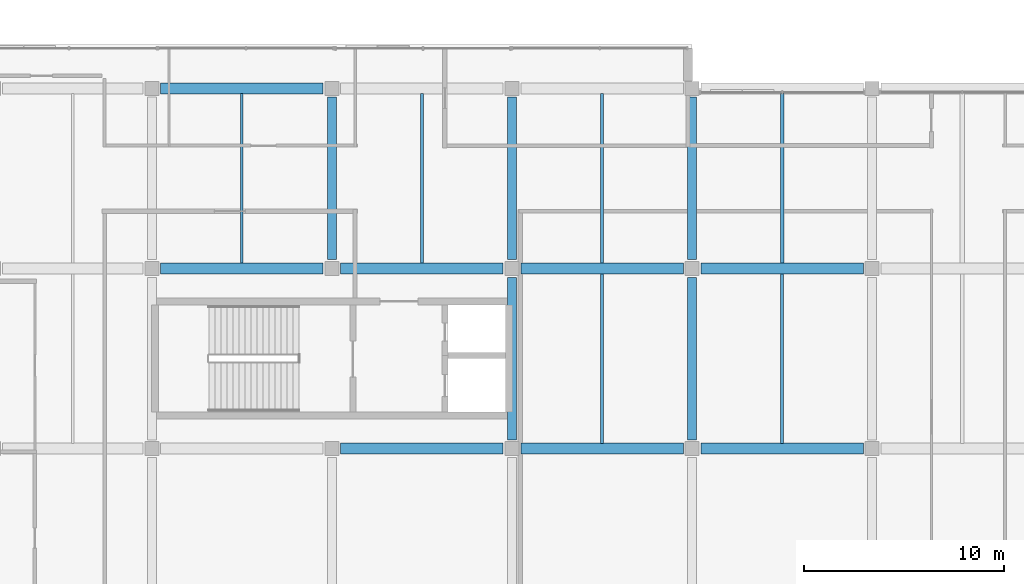
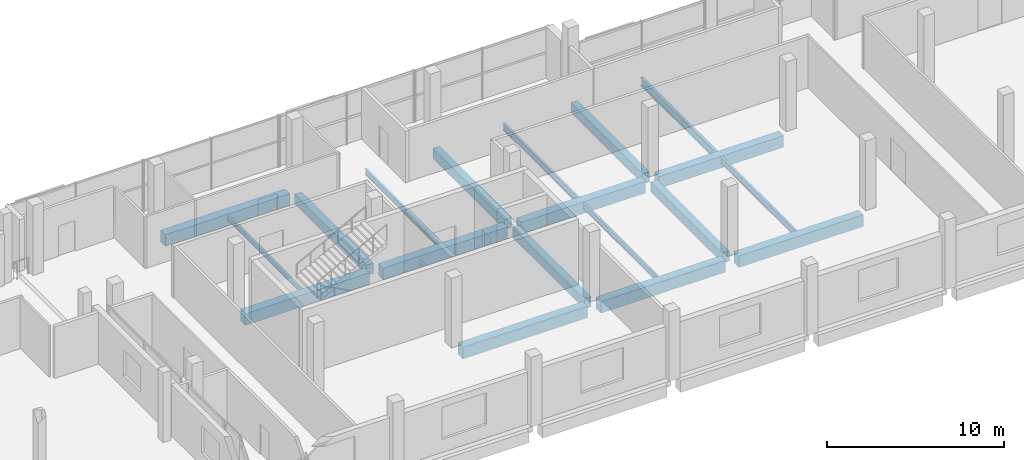
# One storey, part 45 of 111: 19 beams.
"""IFC4 building model written with IfcOpenShell, lengths in metres."""

from ifc_helpers import new_model, si_unit, direction, frame, origin, origin_2d, place, context, subcontext, project, spatial, rectangle, i_section, extrude, material, material_profile, profile_set, type_object, element, save


model = new_model("IFC4")

# Units and contexts
model_context = context("Model", 3, precision=1e-05, world=origin(), true_north=direction((0.0, 1.0)))
body_context = subcontext(model_context, "Body", "Model", "MODEL_VIEW")
ifc_project = project(units=[si_unit("LENGTHUNIT", "METRE"), si_unit("AREAUNIT", "SQUARE_METRE"), si_unit("VOLUMEUNIT", "CUBIC_METRE"), si_unit("PLANEANGLEUNIT", "RADIAN"), si_unit("MASSUNIT", "GRAM", prefix="KILO"), si_unit("THERMODYNAMICTEMPERATUREUNIT", "KELVIN"), si_unit("POWERUNIT", "WATT")], contexts=[model_context])

# Site, building, storey
site_placement = place(None, origin())
site = spatial("IfcSite", under=ifc_project, at=site_placement, CompositionType="ELEMENT")
building_placement = place(site_placement, origin())
building = spatial("IfcBuilding", under=site, at=building_placement, Name="Sindhuravela Promenade Stadium", CompositionType="ELEMENT")
storey_placement = place(building_placement, frame((0.0, 0.0, 9.60009765625)))
storey = spatial("IfcBuildingStorey", under=building, at=storey_placement, Name="L02", CompositionType="ELEMENT", Elevation=9.60009765625)

# Beams
ifc_material_1 = material(Name="Concrete M40", Category="concrete")
ifc_material_profile_1 = material_profile(ifc_material_1, rectangle(XDim=0.449951171875, YDim=0.699951171875, at=origin_2d()), Name="RC 450x700")
ifc_profile_set_1 = profile_set([ifc_material_profile_1], Name="Concrete M40")
beam_type_1 = type_object("IfcBeamType", Name="RC-BM-450x700", PredefinedType="BEAM", material=ifc_profile_set_1)
for number, where, z_axis, x_axis, name in (
    (1, (72.0, 144.43994140625, -0.630126953125), (0.0, 1.0, 0.0), (-1.0, 0.0, 0.0), "Primary beam GB07 NORTH L02"),
    (2, (81.0, 135.43994140625, -0.630126953125), (0.0, 1.0, 0.0), (-1.0, 0.0, 0.0), "Primary beam GB07 NORTH L02"),
    (3, (81.0, 144.43994140625, -0.630126953125), (0.0, 1.0, 0.0), (-1.0, 0.0, 0.0), "Primary beam GB07 NORTH L02"),
    (4, (90.0, 135.43994140625, -0.630126953125), (0.0, 1.0, 0.0), (-1.0, 0.0, 0.0), "Primary beam GB07 NORTH L02"),
    (5, (90.0, 144.43994140625, -0.630126953125), (0.0, 1.0, 0.0), (-1.0, 0.0, 0.0), "Primary beam GB07 NORTH L02"),
):
    element("IfcBeam", number, at=place(storey_placement, frame(where, z_axis=z_axis, x_axis=x_axis)), inside=storey, type_object=beam_type_1, Name=name, PredefinedType="BEAM", context=body_context, shape_type="SweptSolid", body=[
        extrude(rectangle(XDim=0.449951171875, YDim=0.699951171875, at=origin_2d()), origin(), (0.0, 0.0, 1.0), 8.1201171875),
    ])
ifc_material_profile_2 = material_profile(ifc_material_1, rectangle(XDim=0.550048828125, YDim=0.800048828125, at=origin_2d()), Name="RC 550x800")
ifc_profile_set_2 = profile_set([ifc_material_profile_2], Name="Concrete M40")
beam_type_2 = type_object("IfcBeamType", Name="RC-BM-550x800", PredefinedType="BEAM", material=ifc_profile_set_2)
for number, where, z_axis, x_axis, name in (
    (6, (72.43994140625, 135.0, -0.68017578125), (1.0, 0.0, 0.0), (0.0, 1.0, 0.0), "Primary girder GB05 NORTH L02"),
    (7, (81.43994140625, 135.0, -0.68017578125), (1.0, 0.0, 0.0), (0.0, 1.0, 0.0), "Primary girder GB05 NORTH L02"),
    (8, (90.43994140625, 135.0, -0.68017578125), (1.0, 0.0, 0.0), (0.0, 1.0, 0.0), "Primary girder GB05 NORTH L02"),
    (9, (63.43994140625, 144.0, -0.68017578125), (1.0, 0.0, 0.0), (0.0, 1.0, 0.0), "Primary girder GB05 NORTH L02"),
    (10, (72.43994140625, 144.0, -0.68017578125), (1.0, 0.0, 0.0), (0.0, 1.0, 0.0), "Primary girder GB05 NORTH L02"),
    (11, (81.43994140625, 144.0, -0.68017578125), (1.0, 0.0, 0.0), (0.0, 1.0, 0.0), "Primary girder GB05 NORTH L02"),
    (12, (90.43994140625, 144.0, -0.68017578125), (1.0, 0.0, 0.0), (0.0, 1.0, 0.0), "Primary girder GB05 NORTH L02"),
    (13, (63.43994140625, 153.0, -0.68017578125), (1.0, 0.0, 0.0), (0.0, 1.0, 0.0), "Primary girder GB05 NORTH L02"),
):
    element("IfcBeam", number, at=place(storey_placement, frame(where, z_axis=z_axis, x_axis=x_axis)), inside=storey, type_object=beam_type_2, Name=name, PredefinedType="BEAM", context=body_context, shape_type="SweptSolid", body=[
        extrude(rectangle(XDim=0.550048828125, YDim=0.800048828125, at=origin_2d()), origin(), (0.0, 0.0, 1.0), 8.1201171875),
    ])
ifc_material_2 = material(Name="Steel E350 (IS 2062 E350BR)", Category="steel")
ifc_material_profile_3 = material_profile(ifc_material_2, i_section(OverallWidth=0.139892578125, OverallDepth=0.35009765625, WebThickness=0.008056640625, FlangeThickness=0.01416015625, FilletRadius=0.013916015625, at=origin_2d()), Name="ISMB 350")
ifc_profile_set_3 = profile_set([ifc_material_profile_3], Name="Steel E350 (IS 2062 E350BR)")
beam_type_3 = type_object("IfcBeamType", Name="ST-BM-MB350", PredefinedType="JOIST", material=ifc_profile_set_3)
beam_1_placement = place(storey_placement, frame((67.5, 144.264892578125, -0.455078125), z_axis=(0.0, 1.0, 0.0), x_axis=(-1.0, 0.0, 0.0)))
element("IfcBeam", 14, at=beam_1_placement, inside=storey, type_object=beam_type_3, Name="Secondary floor joist SB04 NORTH L02", PredefinedType="JOIST", context=body_context, shape_type="SweptSolid", body=[
    extrude(i_section(OverallWidth=0.139892578125, OverallDepth=0.35009765625, WebThickness=0.008056640625, FlangeThickness=0.01416015625, FilletRadius=0.013916015625, at=origin_2d()), origin(), (0.0, 0.0, 1.0), 8.47021484375),
])
ifc_material_profile_4 = material_profile(ifc_material_2, i_section(OverallWidth=0.139892578125, OverallDepth=0.39990234375, WebThickness=0.0087890625, FlangeThickness=0.01611328125, FilletRadius=0.013916015625, at=origin_2d()), Name="ISMB 400")
ifc_profile_set_4 = profile_set([ifc_material_profile_4], Name="Steel E350 (IS 2062 E350BR)")
beam_type_4 = type_object("IfcBeamType", Name="ST-BM-MB400", PredefinedType="BEAM", material=ifc_profile_set_4)
for number, where, z_axis, x_axis, name in (
    (15, (85.5, 135.264892578125, -0.47998046875), (0.0, 1.0, 0.0), (-1.0, 0.0, 0.0), "Secondary floor joist SB05 NORTH L02"),
    (16, (76.5, 144.264892578125, -0.47998046875), (0.0, 1.0, 0.0), (-1.0, 0.0, 0.0), "Secondary floor joist SB05 NORTH L02"),
):
    element("IfcBeam", number, at=place(storey_placement, frame(where, z_axis=z_axis, x_axis=x_axis)), inside=storey, type_object=beam_type_4, Name=name, PredefinedType="BEAM", context=body_context, shape_type="SweptSolid", body=[
        extrude(i_section(OverallWidth=0.139892578125, OverallDepth=0.39990234375, WebThickness=0.0087890625, FlangeThickness=0.01611328125, FilletRadius=0.013916015625, at=origin_2d()), origin(), (0.0, 0.0, 1.0), 8.47021484375),
    ])
ifc_material_profile_5 = material_profile(ifc_material_2, i_section(OverallWidth=0.14990234375, OverallDepth=0.449951171875, WebThickness=0.009521484375, FlangeThickness=0.017333984375, FilletRadius=0.014892578125, at=origin_2d()), Name="ISMB 450")
ifc_profile_set_5 = profile_set([ifc_material_profile_5], Name="Steel E350 (IS 2062 E350BR)")
beam_type_5 = type_object("IfcBeamType", Name="ST-BM-MB450", PredefinedType="BEAM", material=ifc_profile_set_5)
for number, where, z_axis, x_axis, name in (
    (17, (94.5, 135.264892578125, -0.505126953125), (0.0, 1.0, 0.0), (-1.0, 0.0, 0.0), "Secondary floor joist SB06 NORTH L02"),
    (18, (85.5, 144.264892578125, -0.505126953125), (0.0, 1.0, 0.0), (-1.0, 0.0, 0.0), "Secondary floor joist SB06 NORTH L02"),
):
    element("IfcBeam", number, at=place(storey_placement, frame(where, z_axis=z_axis, x_axis=x_axis)), inside=storey, type_object=beam_type_5, Name=name, PredefinedType="BEAM", context=body_context, shape_type="SweptSolid", body=[
        extrude(i_section(OverallWidth=0.14990234375, OverallDepth=0.449951171875, WebThickness=0.009521484375, FlangeThickness=0.017333984375, FilletRadius=0.014892578125, at=origin_2d()), origin(), (0.0, 0.0, 1.0), 8.47021484375),
    ])
ifc_material_profile_6 = material_profile(ifc_material_2, i_section(OverallWidth=0.18994140625, OverallDepth=0.550048828125, WebThickness=0.01123046875, FlangeThickness=0.019287109375, FilletRadius=0.01806640625, at=origin_2d()), Name="ISMB 550")
ifc_profile_set_6 = profile_set([ifc_material_profile_6], Name="Steel E350 (IS 2062 E350BR)")
beam_type_6 = type_object("IfcBeamType", Name="ST-BM-MB550", PredefinedType="SPANDREL", material=ifc_profile_set_6)
beam_2_placement = place(storey_placement, frame((94.5, 144.264892578125, -0.55517578125), z_axis=(0.0, 1.0, 0.0), x_axis=(-1.0, 0.0, 0.0)))
element("IfcBeam", 19, at=beam_2_placement, inside=storey, type_object=beam_type_6, Name="Secondary floor joist SB08 NORTH L02", PredefinedType="SPANDREL", context=body_context, shape_type="SweptSolid", body=[
    extrude(i_section(OverallWidth=0.18994140625, OverallDepth=0.550048828125, WebThickness=0.01123046875, FlangeThickness=0.019287109375, FilletRadius=0.01806640625, at=origin_2d()), origin(), (0.0, 0.0, 1.0), 8.47021484375),
])

save(model, "model.ifc")
